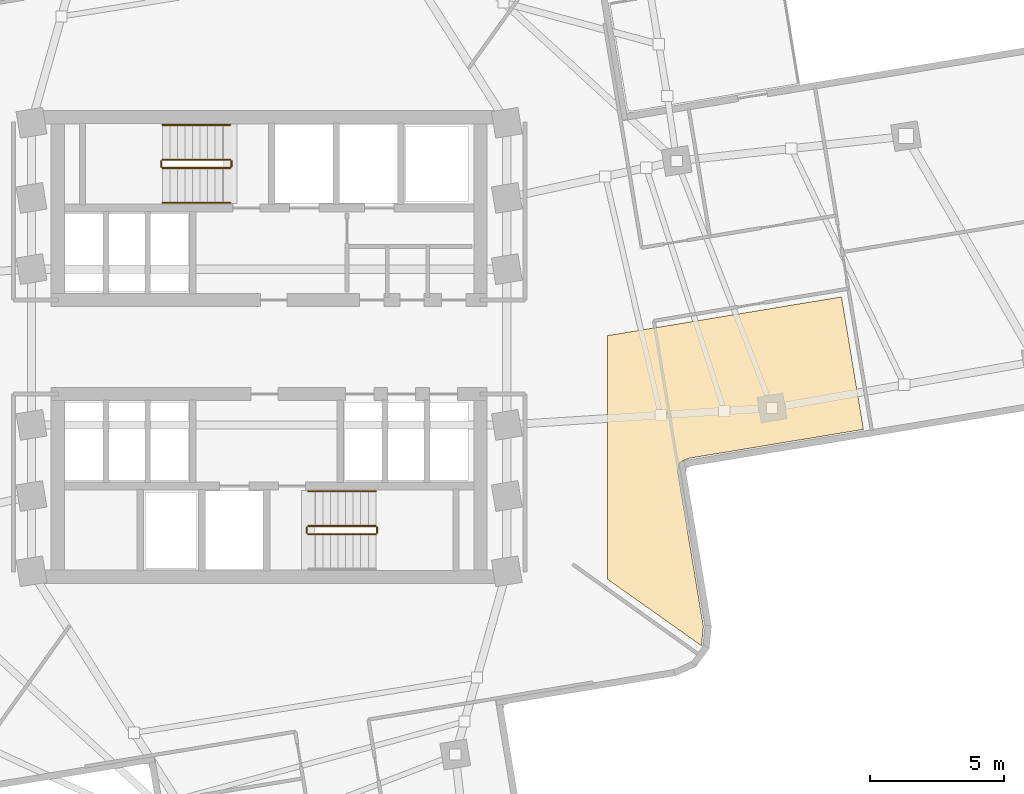
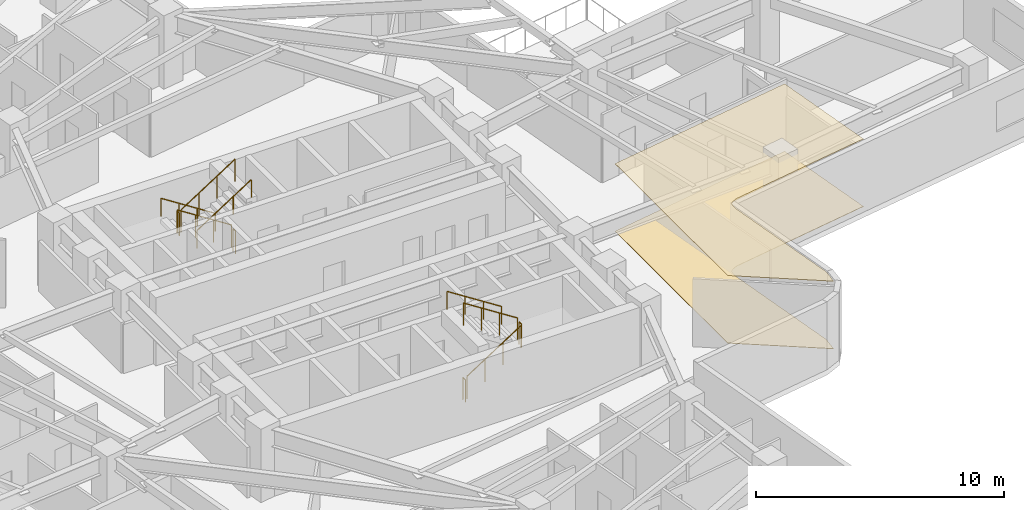
# One storey, part 8 of 9: 11 railings, 2 coverings.
"""IFC4 building model written with IfcOpenShell, lengths in metres."""

from ifc_helpers import new_model, si_unit, direction, frame, origin, origin_2d, place, context, subcontext, project, spatial, polyline, circle, outline, extrude, material, layer, layer_set, type_object, element, save


model = new_model("IFC4")

# Units and contexts
model_context = context("Model", 3, precision=1e-05, world=origin(), true_north=direction((0.0, 1.0)))
body_context = subcontext(model_context, "Body", "Model", "MODEL_VIEW")
ifc_project = project(units=[si_unit("LENGTHUNIT", "METRE"), si_unit("AREAUNIT", "SQUARE_METRE"), si_unit("VOLUMEUNIT", "CUBIC_METRE"), si_unit("PLANEANGLEUNIT", "RADIAN"), si_unit("MASSUNIT", "GRAM", prefix="KILO")], contexts=[model_context])

# Site, building, storey
site_placement = place(None, origin())
site = spatial("IfcSite", under=ifc_project, at=site_placement, CompositionType="ELEMENT")
building_placement = place(site_placement, origin())
building = spatial("IfcBuilding", under=site, at=building_placement, Name="Solmarez Civic Tower", CompositionType="ELEMENT")
storey_placement = place(building_placement, frame((0.0, 0.0, 92.8798828125)))
storey = spatial("IfcBuildingStorey", under=building, at=storey_placement, Name="L24", CompositionType="ELEMENT", Elevation=92.8798828125)

# Coverings
ifc_material_1 = material(Name="Perforated Mineral-Fibre Acoustic Ceiling")
ifc_layer_1 = layer(ifc_material_1, 0.02490234375)
ifc_layer_set_1 = layer_set([ifc_layer_1], Name="Perforated Mineral-Fibre Acoustic Ceiling")
covering_type_1 = type_object("IfcCoveringType", Name="COV-CEIL-ACOUSTIC", PredefinedType="CEILING", material=ifc_layer_set_1)
covering_1_placement = place(storey_placement, frame((0.0, 0.0, 3.315185546875)))
element("IfcCovering", 1, at=covering_1_placement, inside=storey, type_object=covering_type_1, Name="L24 Suspended Acoustic Ceiling 1", PredefinedType="CEILING", context=body_context, shape_type="SweptSolid", body=[
    extrude(outline(polyline([(12.60009765625, 0.423095703125), (12.60009765625, -8.64697265625), (16.093994140625, -11.1201171875), (16.097900390625, -11.114990234375), (16.1669921875, -10.408935546875), (15.22705078125, -4.72705078125), (15.22607421875, -4.721923828125), (15.22509765625, -4.715087890625), (15.222900390625, -4.68408203125), (15.222900390625, -4.669921875), (15.22412109375, -4.64794921875), (15.240966796875, -4.47705078125), (15.241943359375, -4.468017578125), (15.242919921875, -4.4609375), (15.248046875, -4.43896484375), (15.25, -4.430908203125), (15.2509765625, -4.424072265625), (15.2529296875, -4.4169921875), (15.262939453125, -4.389892578125), (15.26611328125, -4.383056640625), (15.27490234375, -4.364990234375), (15.284912109375, -4.347900390625), (15.2890625, -4.342041015625), (15.29296875, -4.3359375), (15.298095703125, -4.3291015625), (15.30908203125, -4.31494140625), (15.318115234375, -4.304931640625), (15.33203125, -4.2900390625), (15.347900390625, -4.27490234375), (15.364990234375, -4.262939453125), (15.37109375, -4.259033203125), (15.376953125, -4.2548828125), (15.389892578125, -4.2470703125), (15.39697265625, -4.242919921875), (15.4150390625, -4.23388671875), (15.572021484375, -4.1630859375), (15.593017578125, -4.154052734375), (15.59912109375, -4.152099609375), (15.60888671875, -4.14892578125), (15.623046875, -4.14501953125), (15.64697265625, -4.139892578125), (22.1279296875, -3.06689453125), (21.31201171875, 1.865966796875), (12.60009765625, 0.423095703125)])), origin(), (0.0, 0.0, 1.0), 0.02490234375),
])
ifc_material_2 = material(Name="Polished Tropical Stone Terrazzo Flooring", Category="masonry")
ifc_layer_2 = layer(ifc_material_2, 0.02001953125)
ifc_layer_set_2 = layer_set([ifc_layer_2], Name="Polished Tropical Stone Terrazzo Flooring")
covering_type_2 = type_object("IfcCoveringType", Name="COV-FLOOR-TERRAZZO", PredefinedType="FLOORING", material=ifc_layer_set_2)
covering_2_placement = place(storey_placement, origin())
element("IfcCovering", 2, at=covering_2_placement, inside=storey, type_object=covering_type_2, Name="L24 Terrazzo Floor Finish 1", PredefinedType="FLOORING", context=body_context, shape_type="SweptSolid", body=[
    extrude(outline(polyline([(12.60009765625, 0.423095703125), (12.60009765625, -8.64697265625), (16.093994140625, -11.1201171875), (16.097900390625, -11.114990234375), (16.1669921875, -10.408935546875), (15.22705078125, -4.72705078125), (15.22607421875, -4.721923828125), (15.22509765625, -4.715087890625), (15.222900390625, -4.68408203125), (15.222900390625, -4.669921875), (15.22412109375, -4.64794921875), (15.240966796875, -4.47705078125), (15.241943359375, -4.468017578125), (15.242919921875, -4.4609375), (15.248046875, -4.43896484375), (15.25, -4.430908203125), (15.2509765625, -4.424072265625), (15.2529296875, -4.4169921875), (15.262939453125, -4.389892578125), (15.26611328125, -4.383056640625), (15.27490234375, -4.364990234375), (15.284912109375, -4.347900390625), (15.2890625, -4.342041015625), (15.29296875, -4.3359375), (15.298095703125, -4.3291015625), (15.30908203125, -4.31494140625), (15.318115234375, -4.304931640625), (15.33203125, -4.2900390625), (15.347900390625, -4.27490234375), (15.364990234375, -4.262939453125), (15.37109375, -4.259033203125), (15.376953125, -4.2548828125), (15.389892578125, -4.2470703125), (15.39697265625, -4.242919921875), (15.4150390625, -4.23388671875), (15.572021484375, -4.1630859375), (15.593017578125, -4.154052734375), (15.59912109375, -4.152099609375), (15.60888671875, -4.14892578125), (15.623046875, -4.14501953125), (15.64697265625, -4.139892578125), (22.1279296875, -3.06689453125), (21.31201171875, 1.865966796875), (12.60009765625, 0.423095703125)])), origin(), (0.0, 0.0, 1.0), 0.02001953125),
])

# Railings
ifc_material_3 = material(Name="Painted Steel Stairwell Safety Guard", Category="steel")
railing_type_1 = type_object("IfcRailingType", Name="GUARD-STAIR-1120", PredefinedType="BALUSTRADE", material=ifc_material_3)
railing_1_placement = place(storey_placement, frame((-1.449951171875, 6.969970703125, 0.18017578125)))
element("IfcRailing", 3, at=railing_1_placement, inside=storey, type_object=railing_type_1, Name="L24 ST-1 stair guard 1", PredefinedType="BALUSTRADE", context=body_context, shape_type="SweptSolid", body=[
    extrude(circle(Radius=0.02392578125, at=origin_2d()), frame((0.0, 0.0, 1.09619140625), z_axis=(-0.841199657755, 0.0, 0.540724639528), x_axis=(0.0, -1.0, 0.0)), (0.0, 0.0, 1.0), 2.995849609375),
    extrude(circle(Radius=0.02099609375, at=origin_2d()), origin(), (0.0, 0.0, 1.0), 1.072021484375),
    extrude(circle(Radius=0.02099609375, at=origin_2d()), frame((-0.840087890625, 0.0, 0.5400390625)), (0.0, 0.0, 1.0), 1.072021484375),
    extrude(circle(Radius=0.02099609375, at=origin_2d()), frame((-1.679931640625, 0.0, 1.079833984375)), (0.0, 0.0, 1.0), 1.072021484375),
    extrude(circle(Radius=0.02099609375, at=origin_2d()), frame((-2.52001953125, 0.0, 1.619873046875)), (0.0, 0.0, 1.0), 1.072021484375),
])
railing_2_placement = place(storey_placement, frame((-4.02001953125, 6.919921875, 1.800048828125)))
element("IfcRailing", 4, at=railing_2_placement, inside=storey, type_object=railing_type_1, Name="L24 ST-1 stair guard 2", PredefinedType="BALUSTRADE", context=body_context, shape_type="SweptSolid", body=[
    extrude(circle(Radius=0.02392578125, at=origin_2d()), frame((0.0, 0.0, 1.09619140625), z_axis=(0.0, -1.0, 0.0), x_axis=(1.0, 0.0, 0.0)), (0.0, 0.0, 1.0), 0.199951171875),
    extrude(circle(Radius=0.02099609375, at=origin_2d()), origin(), (0.0, 0.0, 1.0), 1.072021484375),
    extrude(circle(Radius=0.02099609375, at=origin_2d()), frame((0.0, -0.199951171875, 0.0)), (0.0, 0.0, 1.0), 1.072021484375),
])
railing_3_placement = place(storey_placement, frame((-3.969970703125, 6.669921875, 1.980224609375)))
element("IfcRailing", 5, at=railing_3_placement, inside=storey, type_object=railing_type_1, Name="L24 ST-1 stair guard 3", PredefinedType="BALUSTRADE", context=body_context, shape_type="SweptSolid", body=[
    extrude(circle(Radius=0.02392578125, at=origin_2d()), frame((0.0, 0.0, 1.09619140625), z_axis=(0.841199657755, 0.0, 0.540724639528), x_axis=(0.0, 1.0, 0.0)), (0.0, 0.0, 1.0), 2.995849609375),
    extrude(circle(Radius=0.02099609375, at=origin_2d()), origin(), (0.0, 0.0, 1.0), 1.072021484375),
    extrude(circle(Radius=0.02099609375, at=origin_2d()), frame((0.840087890625, 0.0, 0.5400390625)), (0.0, 0.0, 1.0), 1.072021484375),
    extrude(circle(Radius=0.02099609375, at=origin_2d()), frame((1.679931640625, 0.0, 1.079833984375)), (0.0, 0.0, 1.0), 1.072021484375),
    extrude(circle(Radius=0.02099609375, at=origin_2d()), frame((2.52001953125, 0.0, 1.619873046875)), (0.0, 0.0, 1.0), 1.072021484375),
])
railing_4_placement = place(storey_placement, frame((-1.39990234375, 6.919921875, 0.0)))
element("IfcRailing", 6, at=railing_4_placement, inside=storey, type_object=railing_type_1, Name="L24 ST-1 stair guard 4", PredefinedType="BALUSTRADE", context=body_context, shape_type="SweptSolid", body=[
    extrude(circle(Radius=0.02392578125, at=origin_2d()), frame((0.0, 0.0, 1.09619140625), z_axis=(0.0, -1.0, 0.0), x_axis=(1.0, 0.0, 0.0)), (0.0, 0.0, 1.0), 0.199951171875),
    extrude(circle(Radius=0.02099609375, at=origin_2d()), origin(), (0.0, 0.0, 1.0), 1.072021484375),
    extrude(circle(Radius=0.02099609375, at=origin_2d()), frame((0.0, -0.199951171875, 0.0)), (0.0, 0.0, 1.0), 1.072021484375),
])
railing_5_placement = place(storey_placement, frame((1.449951171875, -6.969970703125, 0.18017578125)))
element("IfcRailing", 7, at=railing_5_placement, inside=storey, type_object=railing_type_1, Name="L24 ST-2 stair guard 1", PredefinedType="BALUSTRADE", context=body_context, shape_type="SweptSolid", body=[
    extrude(circle(Radius=0.02392578125, at=origin_2d()), frame((0.0, 0.0, 1.09619140625), z_axis=(0.841199657755, 0.0, 0.540724639528), x_axis=(0.0, 1.0, 0.0)), (0.0, 0.0, 1.0), 2.995849609375),
    extrude(circle(Radius=0.02099609375, at=origin_2d()), origin(), (0.0, 0.0, 1.0), 1.072021484375),
    extrude(circle(Radius=0.02099609375, at=origin_2d()), frame((0.840087890625, 0.0, 0.5400390625)), (0.0, 0.0, 1.0), 1.072021484375),
    extrude(circle(Radius=0.02099609375, at=origin_2d()), frame((1.679931640625, 0.0, 1.079833984375)), (0.0, 0.0, 1.0), 1.072021484375),
    extrude(circle(Radius=0.02099609375, at=origin_2d()), frame((2.52001953125, 0.0, 1.619873046875)), (0.0, 0.0, 1.0), 1.072021484375),
])
railing_6_placement = place(storey_placement, frame((4.02001953125, -6.919921875, 1.800048828125)))
element("IfcRailing", 8, at=railing_6_placement, inside=storey, type_object=railing_type_1, Name="L24 ST-2 stair guard 2", PredefinedType="BALUSTRADE", context=body_context, shape_type="SweptSolid", body=[
    extrude(circle(Radius=0.02392578125, at=origin_2d()), frame((0.0, 0.0, 1.09619140625), z_axis=(0.0, 1.0, 0.0), x_axis=(-1.0, 0.0, 0.0)), (0.0, 0.0, 1.0), 0.199951171875),
    extrude(circle(Radius=0.02099609375, at=origin_2d()), origin(), (0.0, 0.0, 1.0), 1.072021484375),
    extrude(circle(Radius=0.02099609375, at=origin_2d()), frame((0.0, 0.199951171875, 0.0)), (0.0, 0.0, 1.0), 1.072021484375),
])
railing_7_placement = place(storey_placement, frame((3.969970703125, -6.669921875, 1.980224609375)))
element("IfcRailing", 9, at=railing_7_placement, inside=storey, type_object=railing_type_1, Name="L24 ST-2 stair guard 3", PredefinedType="BALUSTRADE", context=body_context, shape_type="SweptSolid", body=[
    extrude(circle(Radius=0.02392578125, at=origin_2d()), frame((0.0, 0.0, 1.09619140625), z_axis=(-0.841199657755, 0.0, 0.540724639528), x_axis=(0.0, -1.0, 0.0)), (0.0, 0.0, 1.0), 2.995849609375),
    extrude(circle(Radius=0.02099609375, at=origin_2d()), origin(), (0.0, 0.0, 1.0), 1.072021484375),
    extrude(circle(Radius=0.02099609375, at=origin_2d()), frame((-0.840087890625, 0.0, 0.5400390625)), (0.0, 0.0, 1.0), 1.072021484375),
    extrude(circle(Radius=0.02099609375, at=origin_2d()), frame((-1.679931640625, 0.0, 1.079833984375)), (0.0, 0.0, 1.0), 1.072021484375),
    extrude(circle(Radius=0.02099609375, at=origin_2d()), frame((-2.52001953125, 0.0, 1.619873046875)), (0.0, 0.0, 1.0), 1.072021484375),
])
railing_8_placement = place(storey_placement, frame((1.39990234375, -6.919921875, 0.0)))
element("IfcRailing", 10, at=railing_8_placement, inside=storey, type_object=railing_type_1, Name="L24 ST-2 stair guard 4", PredefinedType="BALUSTRADE", context=body_context, shape_type="SweptSolid", body=[
    extrude(circle(Radius=0.02392578125, at=origin_2d()), frame((0.0, 0.0, 1.09619140625), z_axis=(0.0, 1.0, 0.0), x_axis=(-1.0, 0.0, 0.0)), (0.0, 0.0, 1.0), 0.199951171875),
    extrude(circle(Radius=0.02099609375, at=origin_2d()), origin(), (0.0, 0.0, 1.0), 1.072021484375),
    extrude(circle(Radius=0.02099609375, at=origin_2d()), frame((0.0, 0.199951171875, 0.0)), (0.0, 0.0, 1.0), 1.072021484375),
])
ifc_material_4 = material(Name="Brushed Stainless Steel Tube Handrail", Category="steel")
railing_type_2 = type_object("IfcRailingType", Name="HANDRAIL-STAIR-900", PredefinedType="HANDRAIL", material=ifc_material_4)
railing_9_placement = place(storey_placement, frame((-1.449951171875, 8.27001953125, 0.18017578125)))
element("IfcRailing", 11, at=railing_9_placement, inside=storey, type_object=railing_type_2, Name="L24 ST-1 stair handrail 1", PredefinedType="HANDRAIL", context=body_context, shape_type="SweptSolid", body=[
    extrude(circle(Radius=0.02392578125, at=origin_2d()), frame((0.0, 0.0, 0.8759765625), z_axis=(-0.841199657755, 0.0, 0.540724639528), x_axis=(0.0, -1.0, 0.0)), (0.0, 0.0, 1.0), 2.995849609375),
    extrude(circle(Radius=0.02099609375, at=origin_2d()), origin(), (0.0, 0.0, 1.0), 0.851806640625),
    extrude(circle(Radius=0.02099609375, at=origin_2d()), frame((-0.840087890625, 0.0, 0.5400390625)), (0.0, 0.0, 1.0), 0.851806640625),
    extrude(circle(Radius=0.02099609375, at=origin_2d()), frame((-1.679931640625, 0.0, 1.079833984375)), (0.0, 0.0, 1.0), 0.851806640625),
    extrude(circle(Radius=0.02099609375, at=origin_2d()), frame((-2.52001953125, 0.0, 1.619873046875)), (0.0, 0.0, 1.0), 0.851806640625),
])
railing_10_placement = place(storey_placement, frame((-3.969970703125, 5.3701171875, 1.980224609375)))
element("IfcRailing", 12, at=railing_10_placement, inside=storey, type_object=railing_type_2, Name="L24 ST-1 stair handrail 2", PredefinedType="HANDRAIL", context=body_context, shape_type="SweptSolid", body=[
    extrude(circle(Radius=0.02392578125, at=origin_2d()), frame((0.0, 0.0, 0.8759765625), z_axis=(0.841199657755, 0.0, 0.540724639528), x_axis=(0.0, 1.0, 0.0)), (0.0, 0.0, 1.0), 2.995849609375),
    extrude(circle(Radius=0.02099609375, at=origin_2d()), origin(), (0.0, 0.0, 1.0), 0.851806640625),
    extrude(circle(Radius=0.02099609375, at=origin_2d()), frame((0.840087890625, 0.0, 0.5400390625)), (0.0, 0.0, 1.0), 0.851806640625),
    extrude(circle(Radius=0.02099609375, at=origin_2d()), frame((1.679931640625, 0.0, 1.079833984375)), (0.0, 0.0, 1.0), 0.851806640625),
    extrude(circle(Radius=0.02099609375, at=origin_2d()), frame((2.52001953125, 0.0, 1.619873046875)), (0.0, 0.0, 1.0), 0.851806640625),
])
railing_11_placement = place(storey_placement, frame((3.969970703125, -5.3701171875, 1.980224609375)))
element("IfcRailing", 13, at=railing_11_placement, inside=storey, type_object=railing_type_2, Name="L24 ST-2 stair handrail 2", PredefinedType="HANDRAIL", context=body_context, shape_type="SweptSolid", body=[
    extrude(circle(Radius=0.02392578125, at=origin_2d()), frame((0.0, 0.0, 0.8759765625), z_axis=(-0.841199657755, 0.0, 0.540724639528), x_axis=(0.0, -1.0, 0.0)), (0.0, 0.0, 1.0), 2.995849609375),
    extrude(circle(Radius=0.02099609375, at=origin_2d()), origin(), (0.0, 0.0, 1.0), 0.851806640625),
    extrude(circle(Radius=0.02099609375, at=origin_2d()), frame((-0.840087890625, 0.0, 0.5400390625)), (0.0, 0.0, 1.0), 0.851806640625),
    extrude(circle(Radius=0.02099609375, at=origin_2d()), frame((-1.679931640625, 0.0, 1.079833984375)), (0.0, 0.0, 1.0), 0.851806640625),
    extrude(circle(Radius=0.02099609375, at=origin_2d()), frame((-2.52001953125, 0.0, 1.619873046875)), (0.0, 0.0, 1.0), 0.851806640625),
])

save(model, "model.ifc")
